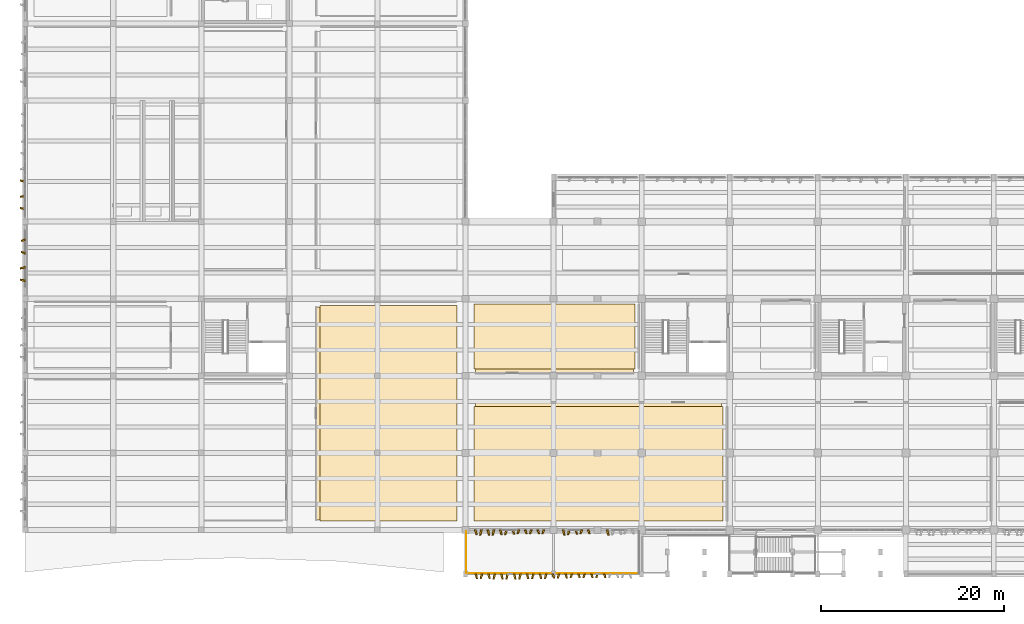
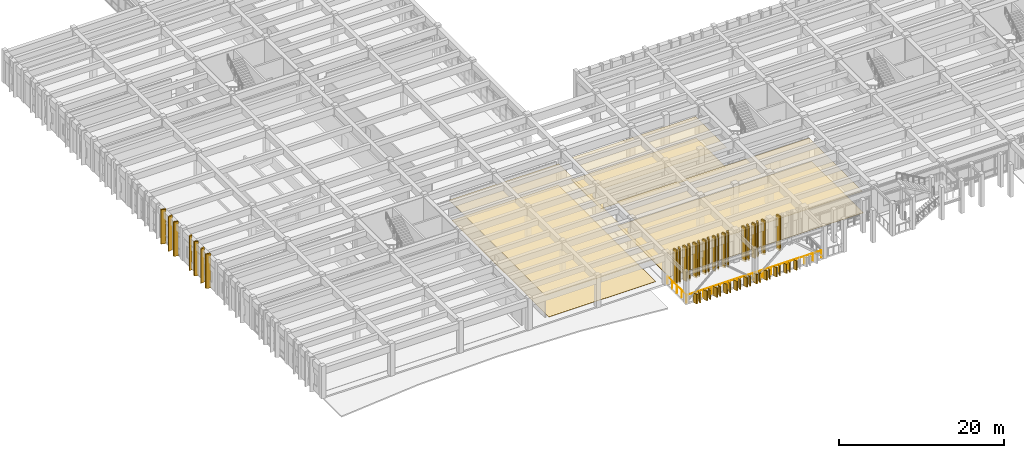
# One storey, part 74 of 86: 52 coverings, 2 railings.
"""IFC4 building model written with IfcOpenShell, lengths in metres."""

from ifc_helpers import new_model, si_unit, direction, frame, origin, origin_2d, place, context, subcontext, project, spatial, polyline, circle, outline, extrude, material, layer, layer_set, type_object, element, save


model = new_model("IFC4")

# Units and contexts
model_context = context("Model", 3, precision=1e-05, world=origin(), true_north=direction((0.0, 1.0)))
body_context = subcontext(model_context, "Body", "Model", "MODEL_VIEW")
ifc_project = project(units=[si_unit("LENGTHUNIT", "METRE"), si_unit("AREAUNIT", "SQUARE_METRE"), si_unit("VOLUMEUNIT", "CUBIC_METRE"), si_unit("PLANEANGLEUNIT", "RADIAN"), si_unit("MASSUNIT", "GRAM", prefix="KILO")], contexts=[model_context])

# Site, building, storey
site_placement = place(None, origin())
site = spatial("IfcSite", under=ifc_project, at=site_placement, CompositionType="ELEMENT")
building_placement = place(site_placement, origin())
building = spatial("IfcBuilding", under=site, at=building_placement, Name="Kolvemor Railside Polytechnic", CompositionType="ELEMENT")
storey_placement = place(building_placement, frame((0.0, 0.0, 5.39990234375)))
storey = spatial("IfcBuildingStorey", under=building, at=storey_placement, Name="L01", CompositionType="ELEMENT", Elevation=5.39990234375)

# Coverings
ifc_material_1 = material(Name="Perforated acoustic mineral-fibre and timber-slat ceiling", Category="wood")
ifc_layer_1 = layer(ifc_material_1, 0.030029296875, Name="COV-CEIL-2")
ifc_layer_set_1 = layer_set([ifc_layer_1], Name="Perforated acoustic mineral-fibre and timber-slat ceiling")
covering_type_1 = type_object("IfcCoveringType", Name="COV-CEIL-2", PredefinedType="CEILING", material=ifc_layer_set_1)
covering_1_placement = place(storey_placement, frame((0.0, 0.0, 3.22998046875)))
element("IfcCovering", 1, at=covering_1_placement, inside=storey, type_object=covering_type_1, Name="Seminar Room 102 Acoustic Ceiling", PredefinedType="CEILING", context=body_context, shape_type="SweptSolid", body=[
    extrude(outline(polyline([(31.719970703125, 5.8798828125), (47.050048828125, 5.8798828125), (47.050048828125, 29.1201171875), (31.719970703125, 29.1201171875), (31.719970703125, 5.8798828125)])), origin(), (0.0, 0.0, 1.0), 0.030029296875),
])
covering_2_placement = place(storey_placement, frame((0.0, 0.0, 3.22998046875)))
element("IfcCovering", 2, at=covering_2_placement, inside=storey, type_object=covering_type_1, Name="Naval Architecture Design Studio Acoustic Ceiling", PredefinedType="CEILING", context=body_context, shape_type="SweptSolid", body=[
    extrude(outline(polyline([(49.080078125, 21.919921875), (66.320068359375, 21.919921875), (66.320068359375, 29.449951171875), (49.080078125, 29.449951171875), (49.080078125, 21.919921875)])), origin(), (0.0, 0.0, 1.0), 0.030029296875),
])
ifc_material_2 = material(Name="Perforated acoustic mineral-fibre and timber-slat ceiling", Category="wood")
ifc_layer_2 = layer(ifc_material_2, 0.034912109375, Name="COV-CEIL-3")
ifc_layer_set_2 = layer_set([ifc_layer_2], Name="Perforated acoustic mineral-fibre and timber-slat ceiling")
covering_type_2 = type_object("IfcCoveringType", Name="COV-CEIL-3", PredefinedType="CEILING", material=ifc_layer_set_2)
covering_3_placement = place(storey_placement, frame((0.0, 0.0, 3.22509765625)))
element("IfcCovering", 3, at=covering_3_placement, inside=storey, type_object=covering_type_2, Name="Analytical Chemistry Wet Laboratory Acoustic Ceiling", PredefinedType="CEILING", context=body_context, shape_type="SweptSolid", body=[
    extrude(outline(polyline([(49.080078125, 5.75), (75.919921875, 5.75), (75.919921875, 18.679931640625), (49.080078125, 18.679931640625), (49.080078125, 5.75)])), origin(), (0.0, 0.0, 1.0), 0.034912109375),
])
ifc_material_3 = material(Name="Champagne-bronze PVDF-anodised marine aluminium 5052-H32", Category="aluminium")
ifc_layer_3 = layer(ifc_material_3, 0.179931640625, Name="COV-FIN-CHAMP")
ifc_layer_set_3 = layer_set([ifc_layer_3], Name="Champagne-bronze PVDF-anodised marine aluminium 5052-H32")
covering_type_3 = type_object("IfcCoveringType", Name="COV-FIN-CHAMP", PredefinedType="CLADDING", material=ifc_layer_set_3)
covering_4_placement = place(storey_placement, frame((0.0, 0.0, -0.27978515625)))
element("IfcCovering", 4, at=covering_4_placement, inside=storey, type_object=covering_type_3, Name="Pleated Solar Fin L01-0122", PredefinedType="CLADDING", context=body_context, shape_type="SweptSolid", body=[
    extrude(outline(polyline([(0.034912109375, 31.8349609375), (0.034912109375, 32.06494140625), (-0.56396484375, 32.169921875), (-0.56396484375, 32.010009765625), (0.034912109375, 31.8349609375)])), origin(), (0.0, 0.0, 1.0), 5.079833984375),
])
covering_5_placement = place(storey_placement, frame((0.0, 0.0, -0.27978515625)))
element("IfcCovering", 5, at=covering_5_placement, inside=storey, type_object=covering_type_3, Name="Pleated Solar Fin L01-0123", PredefinedType="CLADDING", context=body_context, shape_type="SweptSolid", body=[
    extrude(outline(polyline([(0.034912109375, 33.3349609375), (0.034912109375, 33.56494140625), (-0.528076171875, 33.389892578125), (-0.528076171875, 33.22998046875), (0.034912109375, 33.3349609375)])), origin(), (0.0, 0.0, 1.0), 5.079833984375),
])
covering_6_placement = place(storey_placement, frame((0.0, 0.0, -0.27978515625)))
element("IfcCovering", 6, at=covering_6_placement, inside=storey, type_object=covering_type_3, Name="Pleated Solar Fin L01-0124", PredefinedType="CLADDING", context=body_context, shape_type="SweptSolid", body=[
    extrude(outline(polyline([(0.034912109375, 34.8349609375), (0.034912109375, 35.06494140625), (-0.44189453125, 35.169921875), (-0.44189453125, 35.010009765625), (0.034912109375, 34.8349609375)])), origin(), (0.0, 0.0, 1.0), 5.079833984375),
])
covering_7_placement = place(storey_placement, frame((0.0, 0.0, -0.27978515625)))
element("IfcCovering", 7, at=covering_7_placement, inside=storey, type_object=covering_type_3, Name="Pleated Solar Fin L01-0125", PredefinedType="CLADDING", context=body_context, shape_type="SweptSolid", body=[
    extrude(outline(polyline([(0.034912109375, 36.3349609375), (0.034912109375, 36.56494140625), (-0.406005859375, 36.389892578125), (-0.406005859375, 36.22998046875), (0.034912109375, 36.3349609375)])), origin(), (0.0, 0.0, 1.0), 5.079833984375),
])
covering_8_placement = place(storey_placement, frame((0.0, 0.0, -0.27978515625)))
element("IfcCovering", 8, at=covering_8_placement, inside=storey, type_object=covering_type_3, Name="Pleated Solar Fin L01-0147", PredefinedType="CLADDING", context=body_context, shape_type="SweptSolid", body=[
    extrude(outline(polyline([(0.034912109375, 39.635009765625), (0.034912109375, 39.864990234375), (-0.532958984375, 39.969970703125), (-0.532958984375, 39.81005859375), (0.034912109375, 39.635009765625)])), origin(), (0.0, 0.0, 1.0), 5.079833984375),
])
covering_9_placement = place(storey_placement, frame((0.0, 0.0, -0.27978515625)))
element("IfcCovering", 9, at=covering_9_placement, inside=storey, type_object=covering_type_3, Name="Pleated Solar Fin L01-0148", PredefinedType="CLADDING", context=body_context, shape_type="SweptSolid", body=[
    extrude(outline(polyline([(0.034912109375, 41.135009765625), (0.034912109375, 41.364990234375), (-0.56298828125, 41.18994140625), (-0.56298828125, 41.030029296875), (0.034912109375, 41.135009765625)])), origin(), (0.0, 0.0, 1.0), 5.079833984375),
])
covering_10_placement = place(storey_placement, frame((0.0, 0.0, -0.27978515625)))
element("IfcCovering", 10, at=covering_10_placement, inside=storey, type_object=covering_type_3, Name="Pleated Solar Fin L01-0149", PredefinedType="CLADDING", context=body_context, shape_type="SweptSolid", body=[
    extrude(outline(polyline([(0.034912109375, 42.635009765625), (0.034912109375, 42.864990234375), (-0.554931640625, 42.969970703125), (-0.554931640625, 42.81005859375), (0.034912109375, 42.635009765625)])), origin(), (0.0, 0.0, 1.0), 5.079833984375),
])
covering_11_placement = place(storey_placement, frame((0.0, 0.0, -0.289794921875)))
element("IfcCovering", 11, at=covering_11_placement, inside=storey, type_object=covering_type_3, Name="Pleated Solar Fin L01-0276", PredefinedType="CLADDING", context=body_context, shape_type="SweptSolid", body=[
    extrude(outline(polyline([(48.945068359375, 4.8349609375), (49.175048828125, 4.8349609375), (49.280029296875, 4.263916015625), (49.1201171875, 4.263916015625), (48.945068359375, 4.8349609375)])), origin(), (0.0, 0.0, 1.0), 5.08984375),
])
covering_12_placement = place(storey_placement, frame((0.0, 0.0, -0.289794921875)))
element("IfcCovering", 12, at=covering_12_placement, inside=storey, type_object=covering_type_3, Name="Pleated Solar Fin L01-0277", PredefinedType="CLADDING", context=body_context, shape_type="SweptSolid", body=[
    extrude(outline(polyline([(49.625, 4.8349609375), (49.85498046875, 4.8349609375), (49.679931640625, 4.241943359375), (49.52001953125, 4.241943359375), (49.625, 4.8349609375)])), origin(), (0.0, 0.0, 1.0), 5.08984375),
])
covering_13_placement = place(storey_placement, frame((0.0, 0.0, -0.289794921875)))
element("IfcCovering", 13, at=covering_13_placement, inside=storey, type_object=covering_type_3, Name="Pleated Solar Fin L01-0278", PredefinedType="CLADDING", context=body_context, shape_type="SweptSolid", body=[
    extrude(outline(polyline([(50.304931640625, 4.8349609375), (50.534912109375, 4.8349609375), (50.639892578125, 4.235107421875), (50.47998046875, 4.235107421875), (50.304931640625, 4.8349609375)])), origin(), (0.0, 0.0, 1.0), 5.08984375),
])
covering_14_placement = place(storey_placement, frame((0.0, 0.0, -0.289794921875)))
element("IfcCovering", 14, at=covering_14_placement, inside=storey, type_object=covering_type_3, Name="Pleated Solar Fin L01-0279", PredefinedType="CLADDING", context=body_context, shape_type="SweptSolid", body=[
    extrude(outline(polyline([(50.985107421875, 4.8349609375), (51.215087890625, 4.8349609375), (51.0400390625, 4.242919921875), (50.8798828125, 4.242919921875), (50.985107421875, 4.8349609375)])), origin(), (0.0, 0.0, 1.0), 5.08984375),
])
covering_15_placement = place(storey_placement, frame((0.0, 0.0, -0.289794921875)))
element("IfcCovering", 15, at=covering_15_placement, inside=storey, type_object=covering_type_3, Name="Pleated Solar Fin L01-0280", PredefinedType="CLADDING", context=body_context, shape_type="SweptSolid", body=[
    extrude(outline(polyline([(51.6650390625, 4.8349609375), (51.89501953125, 4.8349609375), (52.0, 4.264892578125), (51.840087890625, 4.264892578125), (51.6650390625, 4.8349609375)])), origin(), (0.0, 0.0, 1.0), 5.08984375),
])
covering_16_placement = place(storey_placement, frame((0.0, 0.0, -0.289794921875)))
element("IfcCovering", 16, at=covering_16_placement, inside=storey, type_object=covering_type_3, Name="Pleated Solar Fin L01-0281", PredefinedType="CLADDING", context=body_context, shape_type="SweptSolid", body=[
    extrude(outline(polyline([(52.344970703125, 4.8349609375), (52.574951171875, 4.8349609375), (52.39990234375, 4.297119140625), (52.239990234375, 4.297119140625), (52.344970703125, 4.8349609375)])), origin(), (0.0, 0.0, 1.0), 5.08984375),
])
covering_17_placement = place(storey_placement, frame((0.0, 0.0, -0.289794921875)))
element("IfcCovering", 17, at=covering_17_placement, inside=storey, type_object=covering_type_3, Name="Pleated Solar Fin L01-0282", PredefinedType="CLADDING", context=body_context, shape_type="SweptSolid", body=[
    extrude(outline(polyline([(53.02490234375, 4.8349609375), (53.2548828125, 4.8349609375), (53.360107421875, 4.3330078125), (53.199951171875, 4.3330078125), (53.02490234375, 4.8349609375)])), origin(), (0.0, 0.0, 1.0), 5.08984375),
])
covering_18_placement = place(storey_placement, frame((0.0, 0.0, -0.289794921875)))
element("IfcCovering", 18, at=covering_18_placement, inside=storey, type_object=covering_type_3, Name="Pleated Solar Fin L01-0283", PredefinedType="CLADDING", context=body_context, shape_type="SweptSolid", body=[
    extrude(outline(polyline([(53.705078125, 4.8349609375), (53.93505859375, 4.8349609375), (53.760009765625, 4.364990234375), (53.60009765625, 4.364990234375), (53.705078125, 4.8349609375)])), origin(), (0.0, 0.0, 1.0), 5.08984375),
])
covering_19_placement = place(storey_placement, frame((0.0, 0.0, -0.289794921875)))
element("IfcCovering", 19, at=covering_19_placement, inside=storey, type_object=covering_type_3, Name="Pleated Solar Fin L01-0284", PredefinedType="CLADDING", context=body_context, shape_type="SweptSolid", body=[
    extrude(outline(polyline([(54.385009765625, 4.8349609375), (54.614990234375, 4.8349609375), (54.719970703125, 4.386962890625), (54.56005859375, 4.386962890625), (54.385009765625, 4.8349609375)])), origin(), (0.0, 0.0, 1.0), 5.08984375),
])
covering_20_placement = place(storey_placement, frame((0.0, 0.0, -0.289794921875)))
element("IfcCovering", 20, at=covering_20_placement, inside=storey, type_object=covering_type_3, Name="Pleated Solar Fin L01-0285", PredefinedType="CLADDING", context=body_context, shape_type="SweptSolid", body=[
    extrude(outline(polyline([(55.06494140625, 4.8349609375), (55.294921875, 4.8349609375), (55.1201171875, 4.39501953125), (54.9599609375, 4.39501953125), (55.06494140625, 4.8349609375)])), origin(), (0.0, 0.0, 1.0), 5.08984375),
])
covering_21_placement = place(storey_placement, frame((0.0, 0.0, -0.289794921875)))
element("IfcCovering", 21, at=covering_21_placement, inside=storey, type_object=covering_type_3, Name="Pleated Solar Fin L01-0286", PredefinedType="CLADDING", context=body_context, shape_type="SweptSolid", body=[
    extrude(outline(polyline([(55.7451171875, 4.8349609375), (55.97509765625, 4.8349609375), (56.080078125, 4.387939453125), (55.919921875, 4.387939453125), (55.7451171875, 4.8349609375)])), origin(), (0.0, 0.0, 1.0), 5.08984375),
])
covering_22_placement = place(storey_placement, frame((0.0, 0.0, -0.289794921875)))
element("IfcCovering", 22, at=covering_22_placement, inside=storey, type_object=covering_type_3, Name="Pleated Solar Fin L01-0287", PredefinedType="CLADDING", context=body_context, shape_type="SweptSolid", body=[
    extrude(outline(polyline([(56.425048828125, 4.8349609375), (56.655029296875, 4.8349609375), (56.47998046875, 4.365966796875), (56.320068359375, 4.365966796875), (56.425048828125, 4.8349609375)])), origin(), (0.0, 0.0, 1.0), 5.08984375),
])
covering_23_placement = place(storey_placement, frame((0.0, 0.0, -0.289794921875)))
element("IfcCovering", 23, at=covering_23_placement, inside=storey, type_object=covering_type_3, Name="Pleated Solar Fin L01-0293", PredefinedType="CLADDING", context=body_context, shape_type="SweptSolid", body=[
    extrude(outline(polyline([(63.324951171875, 4.8349609375), (63.554931640625, 4.8349609375), (63.659912109375, 4.237060546875), (63.5, 4.237060546875), (63.324951171875, 4.8349609375)])), origin(), (0.0, 0.0, 1.0), 5.08984375),
])
covering_24_placement = place(storey_placement, frame((0.0, 0.0, -0.239990234375)))
element("IfcCovering", 24, at=covering_24_placement, inside=storey, type_object=covering_type_3, Name="Pleated Solar Fin L01-0732", PredefinedType="CLADDING", context=body_context, shape_type="SweptSolid", body=[
    extrude(outline(polyline([(48.985107421875, 0.034912109375), (49.215087890625, 0.034912109375), (49.320068359375, -0.512939453125), (49.159912109375, -0.512939453125), (48.985107421875, 0.034912109375)])), origin(), (0.0, 0.0, 1.0), 1.39013671875),
])
covering_25_placement = place(storey_placement, frame((0.0, 0.0, -0.239990234375)))
element("IfcCovering", 25, at=covering_25_placement, inside=storey, type_object=covering_type_3, Name="Pleated Solar Fin L01-0733", PredefinedType="CLADDING", context=body_context, shape_type="SweptSolid", body=[
    extrude(outline(polyline([(49.68505859375, 0.034912109375), (49.9150390625, 0.034912109375), (49.739990234375, -0.530029296875), (49.580078125, -0.530029296875), (49.68505859375, 0.034912109375)])), origin(), (0.0, 0.0, 1.0), 1.39013671875),
])
covering_26_placement = place(storey_placement, frame((0.0, 0.0, -0.239990234375)))
element("IfcCovering", 26, at=covering_26_placement, inside=storey, type_object=covering_type_3, Name="Pleated Solar Fin L01-0734", PredefinedType="CLADDING", context=body_context, shape_type="SweptSolid", body=[
    extrude(outline(polyline([(50.385009765625, 0.034912109375), (50.614990234375, 0.034912109375), (50.719970703125, -0.5439453125), (50.56005859375, -0.5439453125), (50.385009765625, 0.034912109375)])), origin(), (0.0, 0.0, 1.0), 1.39013671875),
])
covering_27_placement = place(storey_placement, frame((0.0, 0.0, -0.239990234375)))
element("IfcCovering", 27, at=covering_27_placement, inside=storey, type_object=covering_type_3, Name="Pleated Solar Fin L01-0735", PredefinedType="CLADDING", context=body_context, shape_type="SweptSolid", body=[
    extrude(outline(polyline([(51.0849609375, 0.034912109375), (51.31494140625, 0.034912109375), (51.139892578125, -0.554931640625), (50.97998046875, -0.554931640625), (51.0849609375, 0.034912109375)])), origin(), (0.0, 0.0, 1.0), 1.39013671875),
])
covering_28_placement = place(storey_placement, frame((0.0, 0.0, -0.239990234375)))
element("IfcCovering", 28, at=covering_28_placement, inside=storey, type_object=covering_type_3, Name="Pleated Solar Fin L01-0736", PredefinedType="CLADDING", context=body_context, shape_type="SweptSolid", body=[
    extrude(outline(polyline([(51.784912109375, 0.034912109375), (52.014892578125, 0.034912109375), (52.1201171875, -0.56201171875), (51.9599609375, -0.56201171875), (51.784912109375, 0.034912109375)])), origin(), (0.0, 0.0, 1.0), 1.39013671875),
])
covering_29_placement = place(storey_placement, frame((0.0, 0.0, -0.239990234375)))
element("IfcCovering", 29, at=covering_29_placement, inside=storey, type_object=covering_type_3, Name="Pleated Solar Fin L01-0737", PredefinedType="CLADDING", context=body_context, shape_type="SweptSolid", body=[
    extrude(outline(polyline([(52.485107421875, 0.034912109375), (52.715087890625, 0.034912109375), (52.5400390625, -0.56494140625), (52.3798828125, -0.56494140625), (52.485107421875, 0.034912109375)])), origin(), (0.0, 0.0, 1.0), 1.39013671875),
])
covering_30_placement = place(storey_placement, frame((0.0, 0.0, -0.239990234375)))
element("IfcCovering", 30, at=covering_30_placement, inside=storey, type_object=covering_type_3, Name="Pleated Solar Fin L01-0738", PredefinedType="CLADDING", context=body_context, shape_type="SweptSolid", body=[
    extrude(outline(polyline([(53.18505859375, 0.034912109375), (53.4150390625, 0.034912109375), (53.52001953125, -0.56396484375), (53.360107421875, -0.56396484375), (53.18505859375, 0.034912109375)])), origin(), (0.0, 0.0, 1.0), 1.39013671875),
])
covering_31_placement = place(storey_placement, frame((0.0, 0.0, -0.239990234375)))
element("IfcCovering", 31, at=covering_31_placement, inside=storey, type_object=covering_type_3, Name="Pleated Solar Fin L01-0739", PredefinedType="CLADDING", context=body_context, shape_type="SweptSolid", body=[
    extrude(outline(polyline([(53.885009765625, 0.034912109375), (54.114990234375, 0.034912109375), (53.93994140625, -0.55810546875), (53.780029296875, -0.55810546875), (53.885009765625, 0.034912109375)])), origin(), (0.0, 0.0, 1.0), 1.39013671875),
])
covering_32_placement = place(storey_placement, frame((0.0, 0.0, -0.239990234375)))
element("IfcCovering", 32, at=covering_32_placement, inside=storey, type_object=covering_type_3, Name="Pleated Solar Fin L01-0740", PredefinedType="CLADDING", context=body_context, shape_type="SweptSolid", body=[
    extrude(outline(polyline([(54.5849609375, 0.034912109375), (54.81494140625, 0.034912109375), (54.919921875, -0.549072265625), (54.760009765625, -0.549072265625), (54.5849609375, 0.034912109375)])), origin(), (0.0, 0.0, 1.0), 1.39013671875),
])
covering_33_placement = place(storey_placement, frame((0.0, 0.0, -0.239990234375)))
element("IfcCovering", 33, at=covering_33_placement, inside=storey, type_object=covering_type_3, Name="Pleated Solar Fin L01-0741", PredefinedType="CLADDING", context=body_context, shape_type="SweptSolid", body=[
    extrude(outline(polyline([(55.284912109375, 0.034912109375), (55.514892578125, 0.034912109375), (55.340087890625, -0.535888671875), (55.179931640625, -0.535888671875), (55.284912109375, 0.034912109375)])), origin(), (0.0, 0.0, 1.0), 1.39013671875),
])
covering_34_placement = place(storey_placement, frame((0.0, 0.0, -0.239990234375)))
element("IfcCovering", 34, at=covering_34_placement, inside=storey, type_object=covering_type_3, Name="Pleated Solar Fin L01-0742", PredefinedType="CLADDING", context=body_context, shape_type="SweptSolid", body=[
    extrude(outline(polyline([(55.985107421875, 0.034912109375), (56.215087890625, 0.034912109375), (56.320068359375, -0.52099609375), (56.159912109375, -0.52099609375), (55.985107421875, 0.034912109375)])), origin(), (0.0, 0.0, 1.0), 1.39013671875),
])
covering_35_placement = place(storey_placement, frame((0.0, 0.0, -0.239990234375)))
element("IfcCovering", 35, at=covering_35_placement, inside=storey, type_object=covering_type_3, Name="Pleated Solar Fin L01-0743", PredefinedType="CLADDING", context=body_context, shape_type="SweptSolid", body=[
    extrude(outline(polyline([(56.68505859375, 0.034912109375), (56.9150390625, 0.034912109375), (56.739990234375, -0.5029296875), (56.580078125, -0.5029296875), (56.68505859375, 0.034912109375)])), origin(), (0.0, 0.0, 1.0), 1.39013671875),
])
covering_36_placement = place(storey_placement, frame((0.0, 0.0, -0.239990234375)))
element("IfcCovering", 36, at=covering_36_placement, inside=storey, type_object=covering_type_3, Name="Pleated Solar Fin L01-0744", PredefinedType="CLADDING", context=body_context, shape_type="SweptSolid", body=[
    extrude(outline(polyline([(57.385009765625, 0.034912109375), (57.614990234375, 0.034912109375), (57.719970703125, -0.485107421875), (57.56005859375, -0.485107421875), (57.385009765625, 0.034912109375)])), origin(), (0.0, 0.0, 1.0), 1.39013671875),
])
covering_37_placement = place(storey_placement, frame((0.0, 0.0, -0.239990234375)))
element("IfcCovering", 37, at=covering_37_placement, inside=storey, type_object=covering_type_3, Name="Pleated Solar Fin L01-0745", PredefinedType="CLADDING", context=body_context, shape_type="SweptSolid", body=[
    extrude(outline(polyline([(58.0849609375, 0.034912109375), (58.31494140625, 0.034912109375), (58.139892578125, -0.467041015625), (57.97998046875, -0.467041015625), (58.0849609375, 0.034912109375)])), origin(), (0.0, 0.0, 1.0), 1.39013671875),
])
covering_38_placement = place(storey_placement, frame((0.0, 0.0, -0.239990234375)))
element("IfcCovering", 38, at=covering_38_placement, inside=storey, type_object=covering_type_3, Name="Pleated Solar Fin L01-0746", PredefinedType="CLADDING", context=body_context, shape_type="SweptSolid", body=[
    extrude(outline(polyline([(58.784912109375, 0.034912109375), (59.014892578125, 0.034912109375), (59.1201171875, -0.448974609375), (58.9599609375, -0.448974609375), (58.784912109375, 0.034912109375)])), origin(), (0.0, 0.0, 1.0), 1.39013671875),
])
covering_39_placement = place(storey_placement, frame((0.0, 0.0, -0.239990234375)))
element("IfcCovering", 39, at=covering_39_placement, inside=storey, type_object=covering_type_3, Name="Pleated Solar Fin L01-0747", PredefinedType="CLADDING", context=body_context, shape_type="SweptSolid", body=[
    extrude(outline(polyline([(59.485107421875, 0.034912109375), (59.715087890625, 0.034912109375), (59.5400390625, -0.43408203125), (59.3798828125, -0.43408203125), (59.485107421875, 0.034912109375)])), origin(), (0.0, 0.0, 1.0), 1.39013671875),
])
covering_40_placement = place(storey_placement, frame((0.0, 0.0, -0.239990234375)))
element("IfcCovering", 40, at=covering_40_placement, inside=storey, type_object=covering_type_3, Name="Pleated Solar Fin L01-0748", PredefinedType="CLADDING", context=body_context, shape_type="SweptSolid", body=[
    extrude(outline(polyline([(60.18505859375, 0.034912109375), (60.4150390625, 0.034912109375), (60.52001953125, -0.4208984375), (60.360107421875, -0.4208984375), (60.18505859375, 0.034912109375)])), origin(), (0.0, 0.0, 1.0), 1.39013671875),
])
covering_41_placement = place(storey_placement, frame((0.0, 0.0, -0.239990234375)))
element("IfcCovering", 41, at=covering_41_placement, inside=storey, type_object=covering_type_3, Name="Pleated Solar Fin L01-0749", PredefinedType="CLADDING", context=body_context, shape_type="SweptSolid", body=[
    extrude(outline(polyline([(60.885009765625, 0.034912109375), (61.114990234375, 0.034912109375), (60.93994140625, -0.412109375), (60.780029296875, -0.412109375), (60.885009765625, 0.034912109375)])), origin(), (0.0, 0.0, 1.0), 1.39013671875),
])
covering_42_placement = place(storey_placement, frame((0.0, 0.0, -0.239990234375)))
element("IfcCovering", 42, at=covering_42_placement, inside=storey, type_object=covering_type_3, Name="Pleated Solar Fin L01-0750", PredefinedType="CLADDING", context=body_context, shape_type="SweptSolid", body=[
    extrude(outline(polyline([(61.5849609375, 0.034912109375), (61.81494140625, 0.034912109375), (61.919921875, -0.406005859375), (61.760009765625, -0.406005859375), (61.5849609375, 0.034912109375)])), origin(), (0.0, 0.0, 1.0), 1.39013671875),
])
covering_43_placement = place(storey_placement, frame((0.0, 0.0, -0.239990234375)))
element("IfcCovering", 43, at=covering_43_placement, inside=storey, type_object=covering_type_3, Name="Pleated Solar Fin L01-0751", PredefinedType="CLADDING", context=body_context, shape_type="SweptSolid", body=[
    extrude(outline(polyline([(62.284912109375, 0.034912109375), (62.514892578125, 0.034912109375), (62.340087890625, -0.405029296875), (62.179931640625, -0.405029296875), (62.284912109375, 0.034912109375)])), origin(), (0.0, 0.0, 1.0), 1.39013671875),
])
covering_44_placement = place(storey_placement, frame((0.0, 0.0, -0.239990234375)))
element("IfcCovering", 44, at=covering_44_placement, inside=storey, type_object=covering_type_3, Name="Pleated Solar Fin L01-0752", PredefinedType="CLADDING", context=body_context, shape_type="SweptSolid", body=[
    extrude(outline(polyline([(62.985107421875, 0.034912109375), (63.215087890625, 0.034912109375), (63.320068359375, -0.407958984375), (63.159912109375, -0.407958984375), (62.985107421875, 0.034912109375)])), origin(), (0.0, 0.0, 1.0), 1.39013671875),
])
ifc_material_4 = material(Name="Sea-mist PVDF-anodised marine aluminium 5052-H32", Category="aluminium")
ifc_layer_4 = layer(ifc_material_4, 0.159912109375, Name="COV-FIN-MIST")
ifc_layer_set_4 = layer_set([ifc_layer_4], Name="Sea-mist PVDF-anodised marine aluminium 5052-H32")
covering_type_4 = type_object("IfcCoveringType", Name="COV-FIN-MIST", PredefinedType="CLADDING", material=ifc_layer_set_4)
covering_45_placement = place(storey_placement, frame((0.0, 0.0, -0.289794921875)))
element("IfcCovering", 45, at=covering_45_placement, inside=storey, type_object=covering_type_4, Name="Pleated Solar Fin L01-0288", PredefinedType="CLADDING", context=body_context, shape_type="SweptSolid", body=[
    extrude(outline(polyline([(58.52490234375, 4.8349609375), (58.7548828125, 4.8349609375), (58.860107421875, 4.237060546875), (58.699951171875, 4.237060546875), (58.52490234375, 4.8349609375)])), origin(), (0.0, 0.0, 1.0), 5.08984375),
])
covering_46_placement = place(storey_placement, frame((0.0, 0.0, -0.289794921875)))
element("IfcCovering", 46, at=covering_46_placement, inside=storey, type_object=covering_type_4, Name="Pleated Solar Fin L01-0289", PredefinedType="CLADDING", context=body_context, shape_type="SweptSolid", body=[
    extrude(outline(polyline([(59.205078125, 4.8349609375), (59.43505859375, 4.8349609375), (59.260009765625, 4.2529296875), (59.10009765625, 4.2529296875), (59.205078125, 4.8349609375)])), origin(), (0.0, 0.0, 1.0), 5.08984375),
])
covering_47_placement = place(storey_placement, frame((0.0, 0.0, -0.289794921875)))
element("IfcCovering", 47, at=covering_47_placement, inside=storey, type_object=covering_type_4, Name="Pleated Solar Fin L01-0290", PredefinedType="CLADDING", context=body_context, shape_type="SweptSolid", body=[
    extrude(outline(polyline([(59.885009765625, 4.8349609375), (60.114990234375, 4.8349609375), (60.219970703125, 4.31494140625), (60.06005859375, 4.31494140625), (59.885009765625, 4.8349609375)])), origin(), (0.0, 0.0, 1.0), 5.08984375),
])
covering_48_placement = place(storey_placement, frame((0.0, 0.0, -0.289794921875)))
element("IfcCovering", 48, at=covering_48_placement, inside=storey, type_object=covering_type_4, Name="Pleated Solar Fin L01-0291", PredefinedType="CLADDING", context=body_context, shape_type="SweptSolid", body=[
    extrude(outline(polyline([(60.56494140625, 4.8349609375), (60.794921875, 4.8349609375), (60.6201171875, 4.376953125), (60.4599609375, 4.376953125), (60.56494140625, 4.8349609375)])), origin(), (0.0, 0.0, 1.0), 5.08984375),
])
covering_49_placement = place(storey_placement, frame((0.0, 0.0, -0.289794921875)))
element("IfcCovering", 49, at=covering_49_placement, inside=storey, type_object=covering_type_4, Name="Pleated Solar Fin L01-0292", PredefinedType="CLADDING", context=body_context, shape_type="SweptSolid", body=[
    extrude(outline(polyline([(61.2451171875, 4.8349609375), (61.47509765625, 4.8349609375), (61.580078125, 4.39306640625), (61.419921875, 4.39306640625), (61.2451171875, 4.8349609375)])), origin(), (0.0, 0.0, 1.0), 5.08984375),
])
ifc_material_5 = material(Name="Polished coral-aggregate terrazzo and laboratory epoxy flooring")
ifc_layer_5 = layer(ifc_material_5, 0.02490234375, Name="COV-FLR-2")
ifc_layer_set_5 = layer_set([ifc_layer_5], Name="Polished coral-aggregate terrazzo and laboratory epoxy flooring")
covering_type_5 = type_object("IfcCoveringType", Name="COV-FLR-2", PredefinedType="FLOORING", material=ifc_layer_set_5)
covering_50_placement = place(storey_placement, origin())
element("IfcCovering", 50, at=covering_50_placement, inside=storey, type_object=covering_type_5, Name="Seminar Room 102 Floor Finish", PredefinedType="FLOORING", context=body_context, shape_type="SweptSolid", body=[
    extrude(outline(polyline([(32.14990234375, 5.75), (47.050048828125, 5.75), (47.050048828125, 29.25), (32.14990234375, 29.25), (32.14990234375, 5.75)])), origin(), (0.0, 0.0, 1.0), 0.025146484375),
])
covering_51_placement = place(storey_placement, origin())
element("IfcCovering", 51, at=covering_51_placement, inside=storey, type_object=covering_type_5, Name="Naval Architecture Design Studio Floor Finish", PredefinedType="FLOORING", context=body_context, shape_type="SweptSolid", body=[
    extrude(outline(polyline([(48.949951171875, 22.35009765625), (66.449951171875, 22.35009765625), (66.449951171875, 29.449951171875), (48.949951171875, 29.449951171875), (48.949951171875, 22.35009765625)])), origin(), (0.0, 0.0, 1.0), 0.025146484375),
])
ifc_material_6 = material(Name="Polished coral-aggregate terrazzo and laboratory epoxy flooring")
ifc_layer_6 = layer(ifc_material_6, 0.030029296875, Name="COV-FLR-3")
ifc_layer_set_6 = layer_set([ifc_layer_6], Name="Polished coral-aggregate terrazzo and laboratory epoxy flooring")
covering_type_6 = type_object("IfcCoveringType", Name="COV-FLR-3", PredefinedType="FLOORING", material=ifc_layer_set_6)
covering_52_placement = place(storey_placement, origin())
element("IfcCovering", 52, at=covering_52_placement, inside=storey, type_object=covering_type_6, Name="Analytical Chemistry Wet Laboratory Floor Finish", PredefinedType="FLOORING", context=body_context, shape_type="SweptSolid", body=[
    extrude(outline(polyline([(48.949951171875, 5.75), (76.050048828125, 5.75), (76.050048828125, 18.25), (48.949951171875, 18.25), (48.949951171875, 5.75)])), origin(), (0.0, 0.0, 1.0), 0.030029296875),
])

# Railings
ifc_material_7 = material(Name="AISI 316 marine stainless-steel balustrade guard", Category="steel")
railing_type = type_object("IfcRailingType", Name="RLG-GUARD-1120", PredefinedType="BALUSTRADE", material=ifc_material_7)
railing_1_placement = place(storey_placement, frame((48.080078125, 0.080078125, 0.0)))
element("IfcRailing", 53, at=railing_1_placement, inside=storey, type_object=railing_type, Name="Shifted West Loggia Terrace L01 S Guard GR-001", PredefinedType="BALUSTRADE", context=body_context, shape_type="SweptSolid", body=[
    extrude(circle(Radius=0.02392578125, at=origin_2d()), frame((0.054931640625, 0.0, 1.09619140625), z_axis=(1.0, 0.0, 0.0), x_axis=(0.0, 1.0, 0.0)), (0.0, 0.0, 1.0), 18.729736328125),
    extrude(circle(Radius=0.02099609375, at=origin_2d()), origin(), (0.0, 0.0, 1.0), 1.05712890625),
    extrude(circle(Radius=0.02099609375, at=origin_2d()), frame((1.177490234375, 0.0, 0.0)), (0.0, 0.0, 1.0), 1.05712890625),
    extrude(circle(Radius=0.02099609375, at=origin_2d()), frame((2.35498046875, 0.0, 0.0)), (0.0, 0.0, 1.0), 1.05712890625),
    extrude(circle(Radius=0.02099609375, at=origin_2d()), frame((3.532470703125, 0.0, 0.0)), (0.0, 0.0, 1.0), 1.05712890625),
    extrude(circle(Radius=0.02099609375, at=origin_2d()), frame((4.7099609375, 0.0, 0.0)), (0.0, 0.0, 1.0), 1.05712890625),
    extrude(circle(Radius=0.02099609375, at=origin_2d()), frame((5.887451171875, 0.0, 0.0)), (0.0, 0.0, 1.0), 1.05712890625),
    extrude(circle(Radius=0.02099609375, at=origin_2d()), frame((7.06494140625, 0.0, 0.0)), (0.0, 0.0, 1.0), 1.05712890625),
    extrude(circle(Radius=0.02099609375, at=origin_2d()), frame((8.242431640625, 0.0, 0.0)), (0.0, 0.0, 1.0), 1.05712890625),
    extrude(circle(Radius=0.02099609375, at=origin_2d()), frame((9.419921875, 0.0, 0.0)), (0.0, 0.0, 1.0), 1.05712890625),
    extrude(circle(Radius=0.02099609375, at=origin_2d()), frame((10.597412109375, 0.0, 0.0)), (0.0, 0.0, 1.0), 1.05712890625),
    extrude(circle(Radius=0.02099609375, at=origin_2d()), frame((11.77490234375, 0.0, 0.0)), (0.0, 0.0, 1.0), 1.05712890625),
    extrude(circle(Radius=0.02099609375, at=origin_2d()), frame((12.952392578125, 0.0, 0.0)), (0.0, 0.0, 1.0), 1.05712890625),
    extrude(circle(Radius=0.02099609375, at=origin_2d()), frame((14.1298828125, 0.0, 0.0)), (0.0, 0.0, 1.0), 1.05712890625),
    extrude(circle(Radius=0.02099609375, at=origin_2d()), frame((15.307373046875, 0.0, 0.0)), (0.0, 0.0, 1.0), 1.05712890625),
    extrude(circle(Radius=0.02099609375, at=origin_2d()), frame((16.48486328125, 0.0, 0.0)), (0.0, 0.0, 1.0), 1.05712890625),
    extrude(circle(Radius=0.02099609375, at=origin_2d()), frame((17.662353515625, 0.0, 0.0)), (0.0, 0.0, 1.0), 1.05712890625),
    extrude(circle(Radius=0.02099609375, at=origin_2d()), frame((18.83984375, 0.0, 0.0)), (0.0, 0.0, 1.0), 1.05712890625),
])
railing_2_placement = place(storey_placement, frame((48.080078125, 4.659912109375, 0.0)))
element("IfcRailing", 54, at=railing_2_placement, inside=storey, type_object=railing_type, Name="Shifted West Loggia Terrace L01 W Guard GR-003", PredefinedType="BALUSTRADE", context=body_context, shape_type="SweptSolid", body=[
    extrude(circle(Radius=0.02392578125, at=origin_2d()), frame((0.0, -0.054931640625, 1.09619140625), z_axis=(0.0, -1.0, 0.0), x_axis=(1.0, 0.0, 0.0)), (0.0, 0.0, 1.0), 4.4697265625),
    extrude(circle(Radius=0.02099609375, at=origin_2d()), origin(), (0.0, 0.0, 1.0), 1.05712890625),
    extrude(circle(Radius=0.02099609375, at=origin_2d()), frame((0.0, -1.14501953125, 0.0)), (0.0, 0.0, 1.0), 1.05712890625),
    extrude(circle(Radius=0.02099609375, at=origin_2d()), frame((0.0, -2.2900390625, 0.0)), (0.0, 0.0, 1.0), 1.05712890625),
    extrude(circle(Radius=0.02099609375, at=origin_2d()), frame((0.0, -3.434814453125, 0.0)), (0.0, 0.0, 1.0), 1.05712890625),
    extrude(circle(Radius=0.02099609375, at=origin_2d()), frame((0.0, -4.579833984375, 0.0)), (0.0, 0.0, 1.0), 1.05712890625),
])

save(model, "model.ifc")
